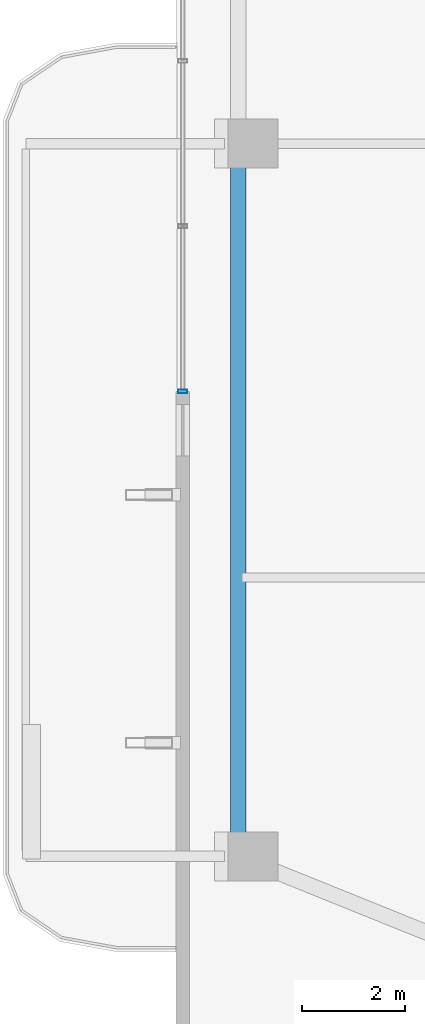
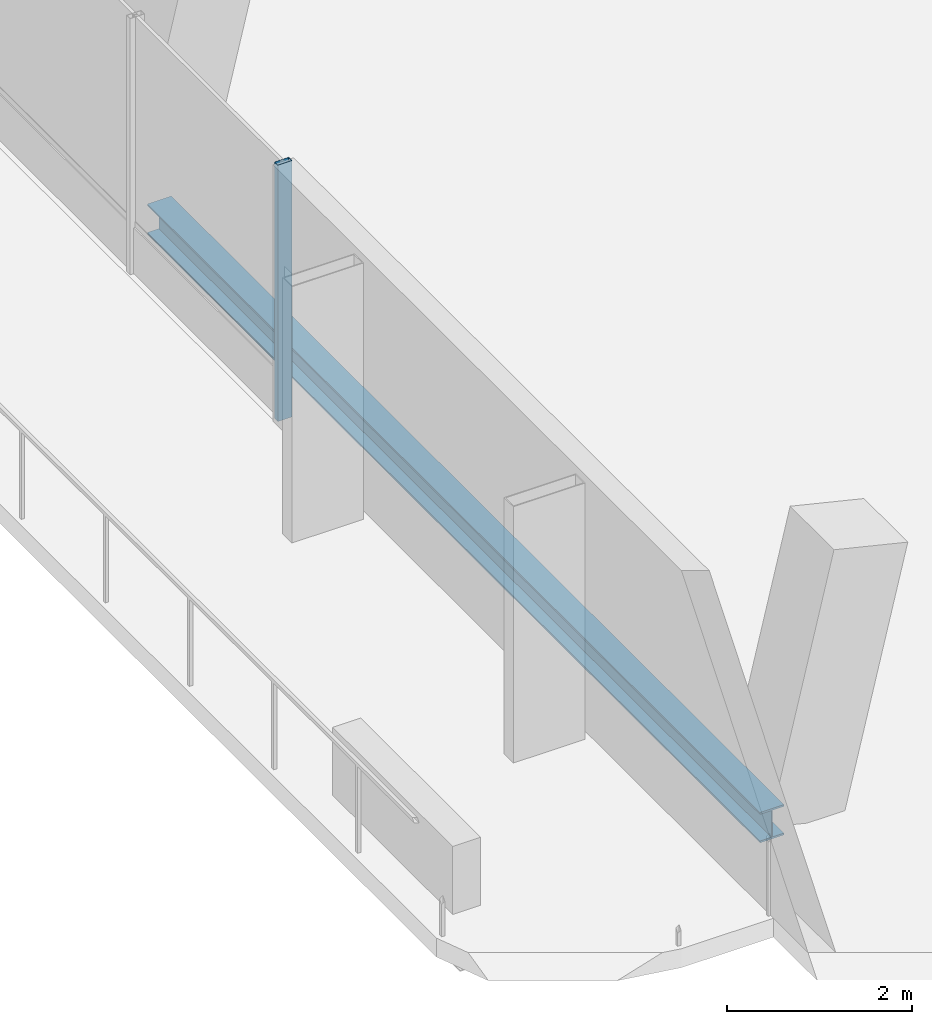
# One storey, part 4 of 25: 1 beam, 1 member, 1 element without a shape of its own.
"""IFC4 building model written with IfcOpenShell, lengths in metres."""

import ifcopenshell
import ifcopenshell.guid

model = None  # the IFC model being written
_history = None  # IfcOwnerHistory: only IFC2X3 demands one
_inside = {}  # id of a spatial element -> (the spatial element, [elements in it])
_under = {}  # id of a project, library or spatial element -> (it, [spatial elements below it])
_declared = {}  # id of a project -> (the project, [libraries it declares])
_typed = {}  # id of a type object -> (the type object, [elements of that type])
_made_of = {}  # id of a material, layer set ... -> (it, [elements and type objects made of it])


def new_model(schema):
    """Start an empty IFC model of exactly this schema.

    Asked for "IFC4X3", IfcOpenShell would pick the latest addendum, in which some entities
    have other attributes; the version numbers below select the first issue.
    IFC2X3 requires an IfcOwnerHistory on every rooted entity: one is made here for all.
    """
    global model, _history
    if schema == "IFC4X3":
        model = ifcopenshell.file(schema_version=(4, 3, 0, 0))
    else:
        model = ifcopenshell.file(schema=schema)
    _inside.clear()
    _under.clear()
    _declared.clear()
    _typed.clear()
    _made_of.clear()
    _history = None
    if model.schema == "IFC2X3":
        org = make("IfcOrganization", Name="unknown")
        user = make(
            "IfcPersonAndOrganization",
            ThePerson=make("IfcPerson", FamilyName="unknown"),
            TheOrganization=org,
        )
        app = make(
            "IfcApplication",
            ApplicationDeveloper=org,
            Version="unknown",
            ApplicationFullName="unknown",
            ApplicationIdentifier="unknown",
        )
        _history = make(
            "IfcOwnerHistory",
            OwningUser=user,
            OwningApplication=app,
            ChangeAction="ADDED",
            CreationDate=0,
        )
    return model


def make(cls, **values):
    """One entity of the class cls with the attributes given. An attribute that is None is left unset."""
    return model.create_entity(
        cls, **{name: value for name, value in values.items() if value is not None}
    )


def rooted(cls, **values):
    """An entity with a GlobalId (a new one), such as an element, a storey or a relation."""
    return make(cls, GlobalId=ifcopenshell.guid.new(), OwnerHistory=_history, **values)


def si_unit(unit_type, name, prefix=None):
    """IfcSIUnit, for example si_unit("LENGTHUNIT", "METRE", prefix="MILLI")."""
    return make("IfcSIUnit", UnitType=unit_type, Prefix=prefix, Name=name)


def assignment(units):
    """IfcUnitAssignment: the units of a project."""
    return None if units is None else make("IfcUnitAssignment", Units=units)


def point(xyz):
    """IfcCartesianPoint."""
    return None if xyz is None else make("IfcCartesianPoint", Coordinates=xyz)


def direction(xyz):
    """IfcDirection."""
    return None if xyz is None else make("IfcDirection", DirectionRatios=xyz)


def frame(location, z_axis=None, x_axis=None):
    """IfcAxis2Placement3D, a coordinate frame: its origin and axes. An axis left out is left unset."""
    return make(
        "IfcAxis2Placement3D",
        Location=point(location),
        Axis=direction(z_axis),
        RefDirection=direction(x_axis),
    )


def frame_2d(location, x_axis=None):
    """IfcAxis2Placement2D, a coordinate frame in the plane: its origin and x axis."""
    return make(
        "IfcAxis2Placement2D", Location=point(location), RefDirection=direction(x_axis)
    )


def origin():
    """The frame at (0, 0, 0) with its axes left unset."""
    return frame((0.0, 0.0, 0.0))


def origin_2d():
    """The frame at (0, 0) in the plane with its x axis left unset."""
    return frame_2d((0.0, 0.0))


def place(relative_to, where):
    """IfcLocalPlacement: puts the frame where relative to a parent placement (None: the world)."""
    return make(
        "IfcLocalPlacement", PlacementRelTo=relative_to, RelativePlacement=where
    )


def context(
    kind, dimensions, precision=None, world=None, true_north=None, identifier=None
):
    """IfcGeometricRepresentationContext, for example the 3D "Model" context."""
    return make(
        "IfcGeometricRepresentationContext",
        ContextIdentifier=identifier,
        ContextType=kind,
        CoordinateSpaceDimension=dimensions,
        Precision=precision,
        WorldCoordinateSystem=world,
        TrueNorth=true_north,
    )


def subcontext(parent, identifier, kind, view, scale=None):
    """IfcGeometricRepresentationSubContext, for example "Body" below "Model"."""
    return make(
        "IfcGeometricRepresentationSubContext",
        ContextIdentifier=identifier,
        ContextType=kind,
        ParentContext=parent,
        TargetScale=scale,
        TargetView=view,
    )


def project(units=None, contexts=None):
    """IfcProject with its units and contexts."""
    return rooted(
        "IfcProject",
        Name="project",
        RepresentationContexts=contexts,
        UnitsInContext=assignment(units),
    )


def spatial(cls, under=None, at=None, **own):
    """A site, building, storey or space (cls), placed at a placement, below another one or the project."""
    s = rooted(cls, ObjectPlacement=at, **own)
    if under is not None:
        _under.setdefault(under.id(), (under, []))[1].append(s)
    return s


def profile(cls, at=None, kind="AREA", **sizes):
    """A parametric profile (cls). Its sizes go by their IFC names, for example OverallWidth=200.0."""
    return make(cls, ProfileType=kind, Position=at, **sizes)


def hollow_rectangle(**sizes):
    """IfcRectangleHollowProfileDef."""
    return profile("IfcRectangleHollowProfileDef", **sizes)


def i_section(**sizes):
    """IfcIShapeProfileDef."""
    return profile("IfcIShapeProfileDef", **sizes)


def extrude(swept, where, along, depth):
    """IfcExtrudedAreaSolid: the profile swept, set in the frame where, extruded along a direction by depth."""
    return make(
        "IfcExtrudedAreaSolid",
        SweptArea=swept,
        Position=where,
        ExtrudedDirection=direction(along),
        Depth=depth,
    )


def shape(context_of_items, identifier, shape_type, items):
    """IfcShapeRepresentation: the items that make up one representation, for example the "Body"."""
    return make(
        "IfcShapeRepresentation",
        ContextOfItems=context_of_items,
        RepresentationIdentifier=identifier,
        RepresentationType=shape_type,
        Items=items,
    )


def material(Name=None, Category=None):
    """IfcMaterial."""
    return make("IfcMaterial", Name=Name, Category=Category)


def layer(
    of_material, thickness, ventilated=None, Name=None, Category=None, Priority=None
):
    """IfcMaterialLayer: one layer of a wall or slab, of a material (None: an air gap)."""
    return make(
        "IfcMaterialLayer",
        Material=of_material,
        LayerThickness=thickness,
        IsVentilated=ventilated,
        Name=Name,
        Category=Category,
        Priority=Priority,
    )


def layer_set(layers, Name=None):
    """IfcMaterialLayerSet."""
    return make("IfcMaterialLayerSet", MaterialLayers=layers, LayerSetName=Name)


def material_profile(
    of_material, cross_section, Name=None, Category=None, Priority=None
):
    """IfcMaterialProfile: a cross section and its material."""
    return make(
        "IfcMaterialProfile",
        Name=Name,
        Material=of_material,
        Profile=cross_section,
        Priority=Priority,
        Category=Category,
    )


def profile_set(profiles, Name=None, composite=None):
    """IfcMaterialProfileSet."""
    return make(
        "IfcMaterialProfileSet",
        Name=Name,
        MaterialProfiles=profiles,
        CompositeProfile=composite,
    )


def made_of(thing, what):
    """Note that an element or type object is made of a material, layer set ...; save() writes the relation."""
    if what is not None:
        _made_of.setdefault(what.id(), (what, []))[1].append(thing)
    return thing


def type_object(cls, material=None, **own):
    """A type object (cls), such as IfcWallType, which elements share."""
    return made_of(rooted(cls, **own), material)


def element(
    cls,
    number,
    at=None,
    inside=None,
    cuts=None,
    type_object=None,
    material=None,
    context=None,
    identifier="Body",
    shape_type=None,
    held_by="IfcProductDefinitionShape",
    body=None,
    shapes=None,
    **own,
):
    """One element of the class cls, such as IfcWall. Its Tag is "e" and its number.

    at: its placement. inside: the storey or other place that contains it. cuts: it is an
    opening in that element (IfcRelVoidsElement). A single representation is given by context,
    identifier, shape_type and body (its items); several are given by shapes. held_by: the class
    of the entity that holds the representations. save() writes the other relations.
    """
    e = rooted(cls, Tag="e%d" % number, ObjectPlacement=at, **own)
    if body is not None:
        shapes = [shape(context, identifier, shape_type, body)]
    if shapes is not None:
        e.Representation = make(held_by, Representations=shapes)
    if inside is not None:
        _inside.setdefault(inside.id(), (inside, []))[1].append(e)
    if cuts is not None:
        rooted(
            "IfcRelVoidsElement", RelatingBuildingElement=cuts, RelatedOpeningElement=e
        )
    if type_object is not None:
        _typed.setdefault(type_object.id(), (type_object, []))[1].append(e)
    return made_of(e, material)


def aggregate(whole, parts):
    """IfcRelAggregates: a whole, such as a stair, and the parts it consists of."""
    return rooted("IfcRelAggregates", RelatingObject=whole, RelatedObjects=parts)


def save(model, path):
    """Write the relations noted so far, then the file.

    IfcRelAggregates (storeys below a building ...), IfcRelContainedInSpatialStructure (elements
    in a storey), IfcRelDefinesByType, IfcRelAssociatesMaterial and IfcRelDeclares: one each for
    every whole, place, type object, material and project.
    """
    for whole, parts in _under.values():
        aggregate(whole, parts)
    for where, things in _inside.values():
        rooted(
            "IfcRelContainedInSpatialStructure",
            RelatedElements=things,
            RelatingStructure=where,
        )
    for kind, things in _typed.values():
        rooted("IfcRelDefinesByType", RelatedObjects=things, RelatingType=kind)
    for what, things in _made_of.values():
        rooted("IfcRelAssociatesMaterial", RelatedObjects=things, RelatingMaterial=what)
    for by, libraries in _declared.values():
        rooted("IfcRelDeclares", RelatingContext=by, RelatedDefinitions=libraries)
    model.write(path)


model = new_model("IFC4")

# Units and contexts
model_context = context("Model", 3, precision=1e-05, world=origin(), true_north=direction((0.0, 1.0)))
body_context = subcontext(model_context, "Body", "Model", "MODEL_VIEW")
ifc_project = project(units=[si_unit("LENGTHUNIT", "METRE"), si_unit("AREAUNIT", "SQUARE_METRE"), si_unit("VOLUMEUNIT", "CUBIC_METRE"), si_unit("PLANEANGLEUNIT", "RADIAN"), si_unit("MASSUNIT", "GRAM", prefix="KILO")], contexts=[model_context])

# Site, building, storey
site_placement = place(None, origin())
site = spatial("IfcSite", under=ifc_project, at=site_placement, CompositionType="ELEMENT")
building_placement = place(site_placement, origin())
building = spatial("IfcBuilding", under=site, at=building_placement, Name="Belovzor Exchange Tower", CompositionType="ELEMENT")
storey_placement = place(building_placement, frame((0.0, 0.0, 280.35009765625)))
storey = spatial("IfcBuildingStorey", under=building, at=storey_placement, Name="L70", CompositionType="ELEMENT", Elevation=280.35009765625)

# Curtain wall, member
ifc_material_1 = material(Name="Anodised Aluminium Framing", Category="aluminium")
ifc_layer = layer(ifc_material_1, 0.179931640625)
ifc_layer_set = layer_set([ifc_layer], Name="Anodised Aluminium Framing")
curtain_wall_type = type_object("IfcCurtainWallType", Name="Recessed Loggia Low-Iron Triple-Glazed Curtain Wall", PredefinedType="NOTDEFINED", material=ifc_layer_set)
curtain_wall_placement = place(storey_placement, origin())
curtain_wall = element("IfcCurtainWall", 1, at=curtain_wall_placement, inside=storey, type_object=curtain_wall_type, Name="CW3 Recessed Loggia Low-Iron Triple-Glazed Curtain Wall L70", PredefinedType="NOTDEFINED")
ifc_material_2 = material(Name="Steel S355", Category="steel")
ifc_material_profile_1 = material_profile(ifc_material_2, hollow_rectangle(XDim=0.074951171875, YDim=0.179931640625, WallThickness=0.0048828125, at=origin_2d()))
ifc_profile_set_1 = profile_set([ifc_material_profile_1], Name="Steel S355")
member_type = type_object("IfcMemberType", Name="Thermally Broken Curtain Wall Mullion 180x75", PredefinedType="MULLION", material=ifc_profile_set_1)
member_placement = place(storey_placement, frame((4.030029296875, 24.0, 0.0), z_axis=(0.0, 0.0, 1.0), x_axis=(0.0, 1.0, 0.0)))
member = element("IfcMember", 2, at=member_placement, type_object=member_type, Name="CW-M180 Curtain Wall Mullion 1", PredefinedType="MULLION", context=body_context, shape_type="SweptSolid", body=[
    extrude(hollow_rectangle(XDim=0.074951171875, YDim=0.179931640625, WallThickness=0.0048828125, at=origin_2d()), origin(), (0.0, 0.0, 1.0), 3.389892578125),
])
aggregate(curtain_wall, [member])

# Beam
ifc_material_3 = material(Name="Steel S355", Category="steel")
ifc_material_profile_2 = material_profile(ifc_material_3, i_section(OverallWidth=0.300048828125, OverallDepth=0.39990234375, WebThickness=0.013427734375, FlangeThickness=0.02392578125, at=origin_2d()))
ifc_profile_set_2 = profile_set([ifc_material_profile_2], Name="Steel S355")
beam_type = type_object("IfcBeamType", Name="Zone 5 Primary Girder HEB 400", PredefinedType="BEAM", material=ifc_profile_set_2)
beam_placement = place(storey_placement, frame((5.10009765625, 28.5390625, -0.4501953125), z_axis=(0.0, -1.0, 0.0), x_axis=(1.0, 0.0, 0.0)))
element("IfcBeam", 3, at=beam_placement, inside=storey, type_object=beam_type, Name="FG-Z5 Zone 5 Primary Girder HEB 400", PredefinedType="BEAM", context=body_context, shape_type="SweptSolid", body=[
    extrude(i_section(OverallWidth=0.300048828125, OverallDepth=0.39990234375, WebThickness=0.013427734375, FlangeThickness=0.02392578125, at=origin_2d()), origin(), (0.0, 0.0, 1.0), 13.278076171875),
])

save(model, "model.ifc")
